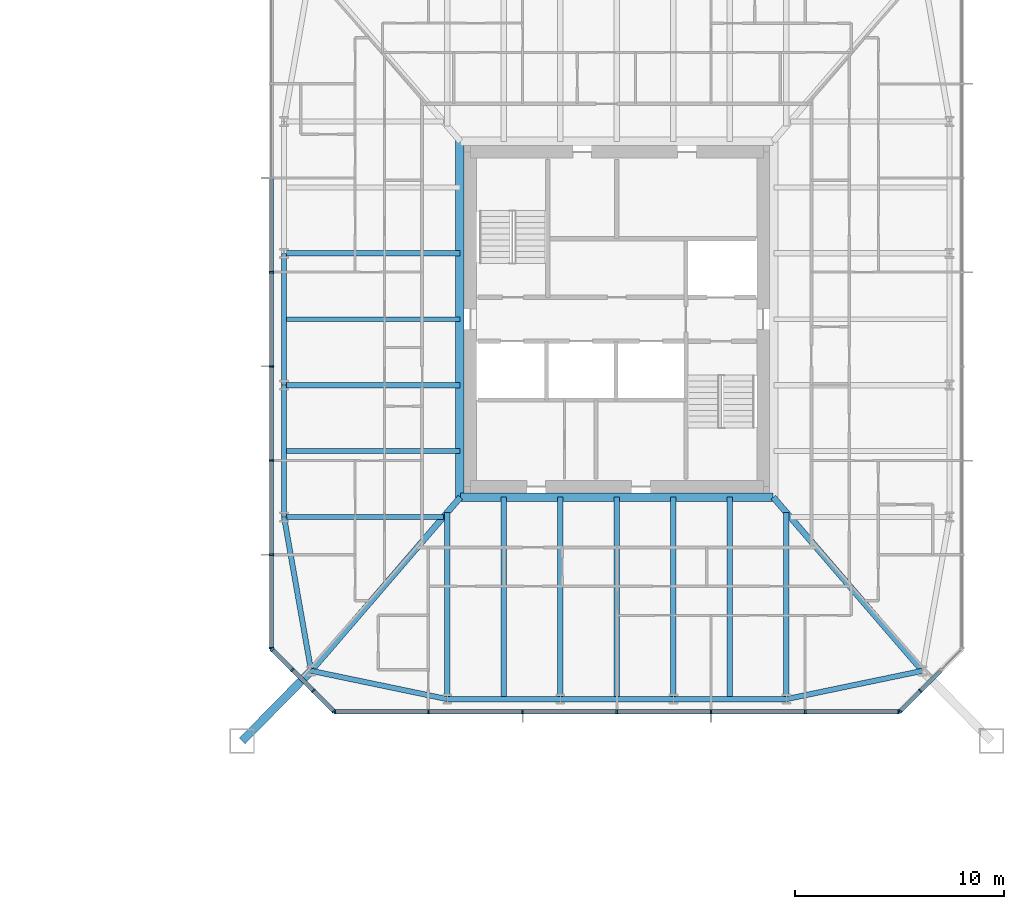
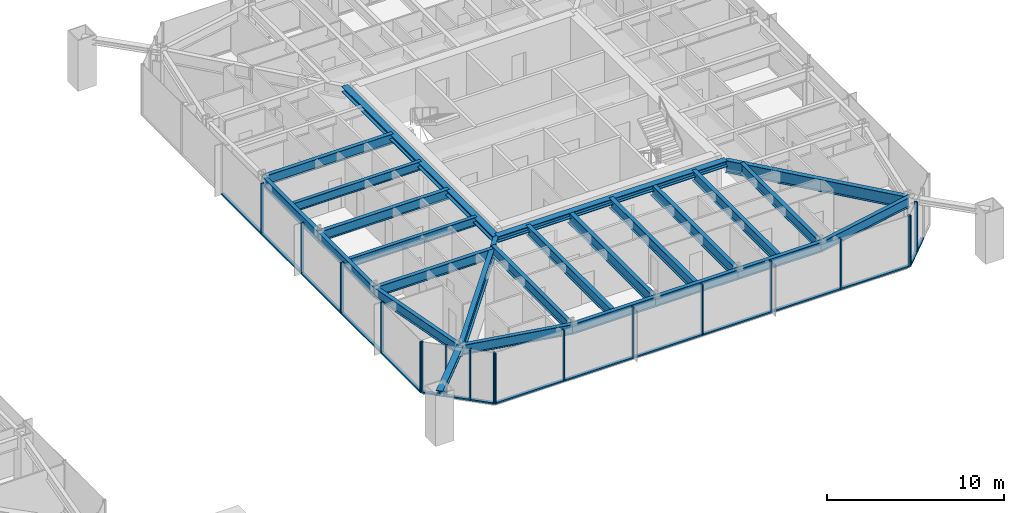
# One storey, part 8 of 26: 35 members, 24 beams, 4 elements without a shape of their own.
"""IFC4 building model written with IfcOpenShell, lengths in metres."""

from ifc_helpers import new_model, si_unit, direction, frame, origin, origin_2d, place, context, subcontext, project, spatial, rectangle, i_section, extrude, material, material_profile, profile_set, type_object, element, aggregate, save


model = new_model("IFC4")

# Units and contexts
model_context = context("Model", 3, precision=1e-05, world=origin(), true_north=direction((0.0, 1.0)))
body_context = subcontext(model_context, "Body", "Model", "MODEL_VIEW")
ifc_project = project(units=[si_unit("LENGTHUNIT", "METRE"), si_unit("AREAUNIT", "SQUARE_METRE"), si_unit("VOLUMEUNIT", "CUBIC_METRE"), si_unit("PLANEANGLEUNIT", "RADIAN"), si_unit("MASSUNIT", "GRAM", prefix="KILO")], contexts=[model_context])

# Site, building, storey
site_placement = place(None, origin())
site = spatial("IfcSite", under=ifc_project, at=site_placement, CompositionType="ELEMENT")
building_placement = place(site_placement, origin())
building = spatial("IfcBuilding", under=site, at=building_placement, Name="Iwan Alto Co-Living Towers", CompositionType="ELEMENT")
storey_placement = place(building_placement, frame((0.0, 0.0, 18.5)))
storey = spatial("IfcBuildingStorey", under=building, at=storey_placement, Name="L04", CompositionType="ELEMENT", Elevation=18.5)

# Curtain wall, members
ifc_material_1 = material(Name="Bronze aluminium unitised frame", Category="aluminium")
curtain_wall_type_1 = type_object("IfcCurtainWallType", Name="CURTAIN WALL CW-C", PredefinedType="NOTDEFINED", material=ifc_material_1)
curtain_wall_1_placement = place(storey_placement, origin())
curtain_wall_1 = element("IfcCurtainWall", 1, at=curtain_wall_1_placement, inside=storey, type_object=curtain_wall_type_1, Name="T2 curtain wall S L04", PredefinedType="NOTDEFINED")
ifc_material_2 = material(Name="Aluminium 6063-T6 bronze anodised", Category="aluminium")
ifc_material_profile_1 = material_profile(ifc_material_2, rectangle(XDim=0.199951171875, YDim=0.080078125, at=origin_2d()), Name="AL 80X200")
ifc_profile_set_1 = profile_set([ifc_material_profile_1], Name="Aluminium 6063-T6 bronze anodised")
member_type_1 = type_object("IfcMemberType", Name="CW-C MULLION 80X200", PredefinedType="MULLION", material=ifc_profile_set_1)
member_1_placement = place(storey_placement, frame((49.5400390625, -18.75, 0.0), z_axis=(0.0, 0.0, 1.0), x_axis=(0.0, 1.0, 0.0)))
member_1 = element("IfcMember", 2, at=member_1_placement, type_object=member_type_1, Name="CW-C mullion 1", PredefinedType="MULLION", context=body_context, shape_type="SweptSolid", body=[
    extrude(rectangle(XDim=0.199951171875, YDim=0.080078125, at=origin_2d()), origin(), (0.0, 0.0, 1.0), 3.5),
])
member_2_placement = place(storey_placement, frame((54.0, -18.75, 0.0), z_axis=(0.0, 0.0, 1.0), x_axis=(0.0, 1.0, 0.0)))
member_2 = element("IfcMember", 3, at=member_2_placement, type_object=member_type_1, Name="CW-C mullion 2", PredefinedType="MULLION", context=body_context, shape_type="SweptSolid", body=[
    extrude(rectangle(XDim=0.199951171875, YDim=0.080078125, at=origin_2d()), origin(), (0.0, 0.0, 1.0), 3.5),
])
member_3_placement = place(storey_placement, frame((58.5, -18.75, 0.0), z_axis=(0.0, 0.0, 1.0), x_axis=(0.0, 1.0, 0.0)))
member_3 = element("IfcMember", 4, at=member_3_placement, type_object=member_type_1, Name="CW-C mullion 3", PredefinedType="MULLION", context=body_context, shape_type="SweptSolid", body=[
    extrude(rectangle(XDim=0.199951171875, YDim=0.080078125, at=origin_2d()), origin(), (0.0, 0.0, 1.0), 3.5),
])
member_4_placement = place(storey_placement, frame((63.0, -18.75, 0.0), z_axis=(0.0, 0.0, 1.0), x_axis=(0.0, 1.0, 0.0)))
member_4 = element("IfcMember", 5, at=member_4_placement, type_object=member_type_1, Name="CW-C mullion 4", PredefinedType="MULLION", context=body_context, shape_type="SweptSolid", body=[
    extrude(rectangle(XDim=0.199951171875, YDim=0.080078125, at=origin_2d()), origin(), (0.0, 0.0, 1.0), 3.5),
])
member_5_placement = place(storey_placement, frame((67.5, -18.75, 0.0), z_axis=(0.0, 0.0, 1.0), x_axis=(0.0, 1.0, 0.0)))
member_5 = element("IfcMember", 6, at=member_5_placement, type_object=member_type_1, Name="CW-C mullion 5", PredefinedType="MULLION", context=body_context, shape_type="SweptSolid", body=[
    extrude(rectangle(XDim=0.199951171875, YDim=0.080078125, at=origin_2d()), origin(), (0.0, 0.0, 1.0), 3.5),
])
member_6_placement = place(storey_placement, frame((72.0, -18.75, 0.0), z_axis=(0.0, 0.0, 1.0), x_axis=(0.0, 1.0, 0.0)))
member_6 = element("IfcMember", 7, at=member_6_placement, type_object=member_type_1, Name="CW-C mullion 6", PredefinedType="MULLION", context=body_context, shape_type="SweptSolid", body=[
    extrude(rectangle(XDim=0.199951171875, YDim=0.080078125, at=origin_2d()), origin(), (0.0, 0.0, 1.0), 3.5),
])
member_7_placement = place(storey_placement, frame((76.4599609375, -18.75, 0.0), z_axis=(0.0, 0.0, 1.0), x_axis=(0.0, 1.0, 0.0)))
member_7 = element("IfcMember", 8, at=member_7_placement, type_object=member_type_1, Name="CW-C mullion 7", PredefinedType="MULLION", context=body_context, shape_type="SweptSolid", body=[
    extrude(rectangle(XDim=0.199951171875, YDim=0.080078125, at=origin_2d()), origin(), (0.0, 0.0, 1.0), 3.5),
])

curtain_wall_2_placement = place(storey_placement, origin())
curtain_wall_2 = element("IfcCurtainWall", 9, at=curtain_wall_2_placement, inside=storey, type_object=curtain_wall_type_1, Name="T2 curtain wall W L04", PredefinedType="NOTDEFINED")
member_8_placement = place(storey_placement, frame((46.5, 2.25, 0.0), z_axis=(0.0, 0.0, 1.0), x_axis=(1.0, 0.0, 0.0)))
member_8 = element("IfcMember", 10, at=member_8_placement, type_object=member_type_1, Name="CW-C mullion 4", PredefinedType="MULLION", context=body_context, shape_type="SweptSolid", body=[
    extrude(rectangle(XDim=0.199951171875, YDim=0.080078125, at=origin_2d()), origin(), (0.0, 0.0, 1.0), 3.5),
])
member_9_placement = place(storey_placement, frame((46.5, -2.25, 0.0), z_axis=(0.0, 0.0, 1.0), x_axis=(1.0, 0.0, 0.0)))
member_9 = element("IfcMember", 11, at=member_9_placement, type_object=member_type_1, Name="CW-C mullion 5", PredefinedType="MULLION", context=body_context, shape_type="SweptSolid", body=[
    extrude(rectangle(XDim=0.199951171875, YDim=0.080078125, at=origin_2d()), origin(), (0.0, 0.0, 1.0), 3.5),
])
member_10_placement = place(storey_placement, frame((46.5, -6.75, 0.0), z_axis=(0.0, 0.0, 1.0), x_axis=(1.0, 0.0, 0.0)))
member_10 = element("IfcMember", 12, at=member_10_placement, type_object=member_type_1, Name="CW-C mullion 6", PredefinedType="MULLION", context=body_context, shape_type="SweptSolid", body=[
    extrude(rectangle(XDim=0.199951171875, YDim=0.080078125, at=origin_2d()), origin(), (0.0, 0.0, 1.0), 3.5),
])
member_11_placement = place(storey_placement, frame((46.5, -11.25, 0.0), z_axis=(0.0, 0.0, 1.0), x_axis=(1.0, 0.0, 0.0)))
member_11 = element("IfcMember", 13, at=member_11_placement, type_object=member_type_1, Name="CW-C mullion 7", PredefinedType="MULLION", context=body_context, shape_type="SweptSolid", body=[
    extrude(rectangle(XDim=0.199951171875, YDim=0.080078125, at=origin_2d()), origin(), (0.0, 0.0, 1.0), 3.5),
])
member_12_placement = place(storey_placement, frame((46.5, -15.7099609375, 0.0), z_axis=(0.0, 0.0, 1.0), x_axis=(1.0, 0.0, 0.0)))
member_12 = element("IfcMember", 14, at=member_12_placement, type_object=member_type_1, Name="CW-C mullion 8", PredefinedType="MULLION", context=body_context, shape_type="SweptSolid", body=[
    extrude(rectangle(XDim=0.199951171875, YDim=0.080078125, at=origin_2d()), origin(), (0.0, 0.0, 1.0), 3.5),
])

# Member
ifc_material_3 = material(Name="Aluminium 6063-T6 bronze anodised", Category="aluminium")
ifc_material_profile_2 = material_profile(ifc_material_3, rectangle(XDim=0.199951171875, YDim=0.10009765625, at=origin_2d()), Name="AL 200X100")
ifc_profile_set_2 = profile_set([ifc_material_profile_2], Name="Aluminium 6063-T6 bronze anodised")
member_type_2 = type_object("IfcMemberType", Name="CW-C TRANSOM 200X100", PredefinedType="USERDEFINED", material=ifc_profile_set_2)
member_13_placement = place(storey_placement, frame((49.580078125, -18.75, 0.050048828125), z_axis=(1.0, 0.0, 0.0), x_axis=(0.0, 1.0, 0.0)))
member_13 = element("IfcMember", 15, at=member_13_placement, type_object=member_type_2, Name="CW-C transom 1.1", ObjectType="TRANSOM", PredefinedType="USERDEFINED", context=body_context, shape_type="SweptSolid", body=[
    extrude(rectangle(XDim=0.199951171875, YDim=0.10009765625, at=origin_2d()), origin(), (0.0, 0.0, 1.0), 4.3798828125),
])

member_14_placement = place(storey_placement, frame((54.0400390625, -18.75, 0.050048828125), z_axis=(1.0, 0.0, 0.0), x_axis=(0.0, 1.0, 0.0)))
member_14 = element("IfcMember", 16, at=member_14_placement, type_object=member_type_2, Name="CW-C transom 2.1", ObjectType="TRANSOM", PredefinedType="USERDEFINED", context=body_context, shape_type="SweptSolid", body=[
    extrude(rectangle(XDim=0.199951171875, YDim=0.10009765625, at=origin_2d()), origin(), (0.0, 0.0, 1.0), 4.419921875),
])

member_15_placement = place(storey_placement, frame((58.5400390625, -18.75, 0.050048828125), z_axis=(1.0, 0.0, 0.0), x_axis=(0.0, 1.0, 0.0)))
member_15 = element("IfcMember", 17, at=member_15_placement, type_object=member_type_2, Name="CW-C transom 3.1", ObjectType="TRANSOM", PredefinedType="USERDEFINED", context=body_context, shape_type="SweptSolid", body=[
    extrude(rectangle(XDim=0.199951171875, YDim=0.10009765625, at=origin_2d()), origin(), (0.0, 0.0, 1.0), 4.419921875),
])

member_16_placement = place(storey_placement, frame((63.0400390625, -18.75, 0.050048828125), z_axis=(1.0, 0.0, 0.0), x_axis=(0.0, 1.0, 0.0)))
member_16 = element("IfcMember", 18, at=member_16_placement, type_object=member_type_2, Name="CW-C transom 4.1", ObjectType="TRANSOM", PredefinedType="USERDEFINED", context=body_context, shape_type="SweptSolid", body=[
    extrude(rectangle(XDim=0.199951171875, YDim=0.10009765625, at=origin_2d()), origin(), (0.0, 0.0, 1.0), 4.419921875),
])

member_17_placement = place(storey_placement, frame((67.5400390625, -18.75, 0.050048828125), z_axis=(1.0, 0.0, 0.0), x_axis=(0.0, 1.0, 0.0)))
member_17 = element("IfcMember", 19, at=member_17_placement, type_object=member_type_2, Name="CW-C transom 5.1", ObjectType="TRANSOM", PredefinedType="USERDEFINED", context=body_context, shape_type="SweptSolid", body=[
    extrude(rectangle(XDim=0.199951171875, YDim=0.10009765625, at=origin_2d()), origin(), (0.0, 0.0, 1.0), 4.419921875),
])

member_18_placement = place(storey_placement, frame((72.0400390625, -18.75, 0.050048828125), z_axis=(1.0, 0.0, 0.0), x_axis=(0.0, 1.0, 0.0)))
member_18 = element("IfcMember", 20, at=member_18_placement, type_object=member_type_2, Name="CW-C transom 6.1", ObjectType="TRANSOM", PredefinedType="USERDEFINED", context=body_context, shape_type="SweptSolid", body=[
    extrude(rectangle(XDim=0.199951171875, YDim=0.10009765625, at=origin_2d()), origin(), (0.0, 0.0, 1.0), 4.3798828125),
])

aggregate(curtain_wall_1, [member_1, member_2, member_3, member_4, member_5, member_6, member_7, member_13, member_14, member_15, member_16, member_17, member_18])

member_19_placement = place(storey_placement, frame((46.5, 6.7099609375, 0.050048828125), z_axis=(0.0, -1.0, 0.0), x_axis=(1.0, 0.0, 0.0)))
member_19 = element("IfcMember", 21, at=member_19_placement, type_object=member_type_2, Name="CW-C transom 3.1", ObjectType="TRANSOM", PredefinedType="USERDEFINED", context=body_context, shape_type="SweptSolid", body=[
    extrude(rectangle(XDim=0.199951171875, YDim=0.10009765625, at=origin_2d()), origin(), (0.0, 0.0, 1.0), 4.419921875),
])

member_20_placement = place(storey_placement, frame((46.5, 2.2099609375, 0.050048828125), z_axis=(0.0, -1.0, 0.0), x_axis=(1.0, 0.0, 0.0)))
member_20 = element("IfcMember", 22, at=member_20_placement, type_object=member_type_2, Name="CW-C transom 4.1", ObjectType="TRANSOM", PredefinedType="USERDEFINED", context=body_context, shape_type="SweptSolid", body=[
    extrude(rectangle(XDim=0.199951171875, YDim=0.10009765625, at=origin_2d()), origin(), (0.0, 0.0, 1.0), 4.419921875),
])

member_21_placement = place(storey_placement, frame((46.5, -2.2900390625, 0.050048828125), z_axis=(0.0, -1.0, 0.0), x_axis=(1.0, 0.0, 0.0)))
member_21 = element("IfcMember", 23, at=member_21_placement, type_object=member_type_2, Name="CW-C transom 5.1", ObjectType="TRANSOM", PredefinedType="USERDEFINED", context=body_context, shape_type="SweptSolid", body=[
    extrude(rectangle(XDim=0.199951171875, YDim=0.10009765625, at=origin_2d()), origin(), (0.0, 0.0, 1.0), 4.419921875),
])

member_22_placement = place(storey_placement, frame((46.5, -6.7900390625, 0.050048828125), z_axis=(0.0, -1.0, 0.0), x_axis=(1.0, 0.0, 0.0)))
member_22 = element("IfcMember", 24, at=member_22_placement, type_object=member_type_2, Name="CW-C transom 6.1", ObjectType="TRANSOM", PredefinedType="USERDEFINED", context=body_context, shape_type="SweptSolid", body=[
    extrude(rectangle(XDim=0.199951171875, YDim=0.10009765625, at=origin_2d()), origin(), (0.0, 0.0, 1.0), 4.419921875),
])

member_23_placement = place(storey_placement, frame((46.5, -11.2900390625, 0.050048828125), z_axis=(0.0, -1.0, 0.0), x_axis=(1.0, 0.0, 0.0)))
member_23 = element("IfcMember", 25, at=member_23_placement, type_object=member_type_2, Name="CW-C transom 7.1", ObjectType="TRANSOM", PredefinedType="USERDEFINED", context=body_context, shape_type="SweptSolid", body=[
    extrude(rectangle(XDim=0.199951171875, YDim=0.10009765625, at=origin_2d()), origin(), (0.0, 0.0, 1.0), 4.3798828125),
])

aggregate(curtain_wall_2, [member_8, member_9, member_10, member_11, member_12, member_19, member_20, member_21, member_22, member_23])

# Curtain wall, members
ifc_material_4 = material(Name="Bronze aluminium unitised frame", Category="aluminium")
curtain_wall_type_2 = type_object("IfcCurtainWallType", Name="CURTAIN WALL CW-D", PredefinedType="NOTDEFINED", material=ifc_material_4)
curtain_wall_3_placement = place(storey_placement, origin())
curtain_wall_3 = element("IfcCurtainWall", 26, at=curtain_wall_3_placement, inside=storey, type_object=curtain_wall_type_2, Name="T2 chamfer curtain wall SE L04", PredefinedType="NOTDEFINED")
ifc_material_5 = material(Name="Aluminium 6063-T6 bronze anodised", Category="aluminium")
ifc_material_profile_3 = material_profile(ifc_material_5, rectangle(XDim=0.199951171875, YDim=0.080078125, at=origin_2d()), Name="AL 80X200")
ifc_profile_set_3 = profile_set([ifc_material_profile_3], Name="Aluminium 6063-T6 bronze anodised")
member_type_3 = type_object("IfcMemberType", Name="CW-D MULLION 80X200", PredefinedType="MULLION", material=ifc_profile_set_3)
member_24_placement = place(storey_placement, frame((76.5283203125, -18.7216796875, 0.0), z_axis=(0.0, 0.0, 1.0), x_axis=(-0.707106781187, 0.707106781187, 0.0)))
member_24 = element("IfcMember", 27, at=member_24_placement, type_object=member_type_3, Name="CW-D mullion 1", PredefinedType="MULLION", context=body_context, shape_type="SweptSolid", body=[
    extrude(rectangle(XDim=0.199951171875, YDim=0.080078125, at=origin_2d()), origin(), (0.0, 0.0, 1.0), 3.5),
])
member_25_placement = place(storey_placement, frame((77.5, -17.75, 0.0), z_axis=(0.0, 0.0, 1.0), x_axis=(-0.707106781187, 0.707106781187, 0.0)))
member_25 = element("IfcMember", 28, at=member_25_placement, type_object=member_type_3, Name="CW-D mullion 2", PredefinedType="MULLION", context=body_context, shape_type="SweptSolid", body=[
    extrude(rectangle(XDim=0.199951171875, YDim=0.080078125, at=origin_2d()), origin(), (0.0, 0.0, 1.0), 3.5),
])

curtain_wall_4_placement = place(storey_placement, origin())
curtain_wall_4 = element("IfcCurtainWall", 29, at=curtain_wall_4_placement, inside=storey, type_object=curtain_wall_type_2, Name="T2 chamfer curtain wall SW L04", PredefinedType="NOTDEFINED")
member_26_placement = place(storey_placement, frame((46.5283203125, -15.7783203125, 0.0), z_axis=(0.0, 0.0, 1.0), x_axis=(0.707106781187, 0.707106781187, 0.0)))
member_26 = element("IfcMember", 30, at=member_26_placement, type_object=member_type_3, Name="CW-D mullion 1", PredefinedType="MULLION", context=body_context, shape_type="SweptSolid", body=[
    extrude(rectangle(XDim=0.199951171875, YDim=0.080078125, at=origin_2d()), origin(), (0.0, 0.0, 1.0), 3.5),
])
member_27_placement = place(storey_placement, frame((47.5, -16.75, 0.0), z_axis=(0.0, 0.0, 1.0), x_axis=(0.707106781187, 0.707106781187, 0.0)))
member_27 = element("IfcMember", 31, at=member_27_placement, type_object=member_type_3, Name="CW-D mullion 2", PredefinedType="MULLION", context=body_context, shape_type="SweptSolid", body=[
    extrude(rectangle(XDim=0.199951171875, YDim=0.080078125, at=origin_2d()), origin(), (0.0, 0.0, 1.0), 3.5),
])
member_28_placement = place(storey_placement, frame((48.5, -17.75, 0.0), z_axis=(0.0, 0.0, 1.0), x_axis=(0.707106781187, 0.707106781187, 0.0)))
member_28 = element("IfcMember", 32, at=member_28_placement, type_object=member_type_3, Name="CW-D mullion 3", PredefinedType="MULLION", context=body_context, shape_type="SweptSolid", body=[
    extrude(rectangle(XDim=0.199951171875, YDim=0.080078125, at=origin_2d()), origin(), (0.0, 0.0, 1.0), 3.5),
])
member_29_placement = place(storey_placement, frame((49.4716796875, -18.7216796875, 0.0), z_axis=(0.0, 0.0, 1.0), x_axis=(0.707106781187, 0.707106781187, 0.0)))
member_29 = element("IfcMember", 33, at=member_29_placement, type_object=member_type_3, Name="CW-D mullion 4", PredefinedType="MULLION", context=body_context, shape_type="SweptSolid", body=[
    extrude(rectangle(XDim=0.199951171875, YDim=0.080078125, at=origin_2d()), origin(), (0.0, 0.0, 1.0), 3.5),
])

# Member
ifc_material_6 = material(Name="Aluminium 6063-T6 bronze anodised", Category="aluminium")
ifc_material_profile_4 = material_profile(ifc_material_6, rectangle(XDim=0.199951171875, YDim=0.10009765625, at=origin_2d()), Name="AL 200X100")
ifc_profile_set_4 = profile_set([ifc_material_profile_4], Name="Aluminium 6063-T6 bronze anodised")
member_type_4 = type_object("IfcMemberType", Name="CW-D TRANSOM 200X100", PredefinedType="USERDEFINED", material=ifc_profile_set_4)
member_30_placement = place(storey_placement, frame((76.556640625, -18.693359375, 0.050048828125), z_axis=(0.707106781187, 0.707106781187, 0.0), x_axis=(-0.707106781187, 0.707106781187, 0.0)))
member_30 = element("IfcMember", 34, at=member_30_placement, type_object=member_type_4, Name="CW-D transom 1.1", ObjectType="TRANSOM", PredefinedType="USERDEFINED", context=body_context, shape_type="SweptSolid", body=[
    extrude(rectangle(XDim=0.199951171875, YDim=0.10009765625, at=origin_2d()), origin(), (0.0, 0.0, 1.0), 1.2939453125),
])

member_31_placement = place(storey_placement, frame((77.5283203125, -17.7216796875, 0.050048828125), z_axis=(0.707106781187, 0.707106781187, 0.0), x_axis=(-0.707106781187, 0.707106781187, 0.0)))
member_31 = element("IfcMember", 35, at=member_31_placement, type_object=member_type_4, Name="CW-D transom 2.1", ObjectType="TRANSOM", PredefinedType="USERDEFINED", context=body_context, shape_type="SweptSolid", body=[
    extrude(rectangle(XDim=0.199951171875, YDim=0.10009765625, at=origin_2d()), origin(), (0.0, 0.0, 1.0), 1.334228515625),
])

aggregate(curtain_wall_3, [member_24, member_25, member_30, member_31])

member_32_placement = place(storey_placement, frame((46.556640625, -15.806640625, 0.050048828125), z_axis=(0.707106781187, -0.707106781187, 0.0), x_axis=(0.707106781187, 0.707106781187, 0.0)))
member_32 = element("IfcMember", 36, at=member_32_placement, type_object=member_type_4, Name="CW-D transom 1.1", ObjectType="TRANSOM", PredefinedType="USERDEFINED", context=body_context, shape_type="SweptSolid", body=[
    extrude(rectangle(XDim=0.199951171875, YDim=0.10009765625, at=origin_2d()), origin(), (0.0, 0.0, 1.0), 1.2939453125),
])

member_33_placement = place(storey_placement, frame((47.5283203125, -16.7783203125, 0.050048828125), z_axis=(0.707106781187, -0.707106781187, 0.0), x_axis=(0.707106781187, 0.707106781187, 0.0)))
member_33 = element("IfcMember", 37, at=member_33_placement, type_object=member_type_4, Name="CW-D transom 2.1", ObjectType="TRANSOM", PredefinedType="USERDEFINED", context=body_context, shape_type="SweptSolid", body=[
    extrude(rectangle(XDim=0.199951171875, YDim=0.10009765625, at=origin_2d()), origin(), (0.0, 0.0, 1.0), 1.334228515625),
])

member_34_placement = place(storey_placement, frame((48.5283203125, -17.7783203125, 0.050048828125), z_axis=(0.707106781187, -0.707106781187, 0.0), x_axis=(0.707106781187, 0.707106781187, 0.0)))
member_34 = element("IfcMember", 38, at=member_34_placement, type_object=member_type_4, Name="CW-D transom 3.1", ObjectType="TRANSOM", PredefinedType="USERDEFINED", context=body_context, shape_type="SweptSolid", body=[
    extrude(rectangle(XDim=0.199951171875, YDim=0.10009765625, at=origin_2d()), origin(), (0.0, 0.0, 1.0), 1.2939453125),
])

aggregate(curtain_wall_4, [member_26, member_27, member_28, member_29, member_32, member_33, member_34])

# Beams
ifc_material_7 = material(Name="Steel ASTM A992 Gr 50", Category="steel")
ifc_material_profile_5 = material_profile(ifc_material_7, i_section(OverallWidth=0.40380859375, OverallDepth=0.406494140625, WebThickness=0.027099609375, FlangeThickness=0.043701171875, at=origin_2d()), Name="W14X233")
ifc_profile_set_5 = profile_set([ifc_material_profile_5], Name="Steel ASTM A992 Gr 50")
beam_type_1 = type_object("IfcBeamType", Name="T2 CORE LEDGER BEAM W14X233", PredefinedType="BEAM", material=ifc_profile_set_5)
beam_1_placement = place(storey_placement, frame((55.5263671875, -8.501953125, 3.06689453125), z_axis=(1.0, 0.0, 0.0), x_axis=(0.0, 1.0, 0.0)))
element("IfcBeam", 39, at=beam_1_placement, inside=storey, type_object=beam_type_1, Name="T2 core ledger beam S L05", PredefinedType="BEAM", context=body_context, shape_type="SweptSolid", body=[
    extrude(i_section(OverallWidth=0.40380859375, OverallDepth=0.406494140625, WebThickness=0.027099609375, FlangeThickness=0.043701171875, at=origin_2d()), origin(), (0.0, 0.0, 1.0), 14.947265625),
])
beam_2_placement = place(storey_placement, frame((55.498046875, 8.534912109375, 3.06689453125), z_axis=(0.0, -1.0, 0.0), x_axis=(1.0, 0.0, 0.0)))
element("IfcBeam", 40, at=beam_2_placement, inside=storey, type_object=beam_type_1, Name="T2 core ledger beam W L05", PredefinedType="BEAM", context=body_context, shape_type="SweptSolid", body=[
    extrude(i_section(OverallWidth=0.40380859375, OverallDepth=0.406494140625, WebThickness=0.027099609375, FlangeThickness=0.043701171875, at=origin_2d()), origin(), (0.0, 0.0, 1.0), 17.06982421875),
])
ifc_material_8 = material(Name="Steel ASTM A992 Gr 50", Category="steel")
ifc_material_profile_6 = material_profile(ifc_material_8, i_section(OverallWidth=0.2919921875, OverallDepth=0.8408203125, WebThickness=0.0146484375, FlangeThickness=0.021728515625, at=origin_2d()), Name="W33X130")
ifc_profile_set_6 = profile_set([ifc_material_profile_6], Name="Steel ASTM A992 Gr 50")
beam_type_2 = type_object("IfcBeamType", Name="T2 CORNER GIRDER W33X130", PredefinedType="BEAM", material=ifc_profile_set_6)
for number, where, z_axis, x_axis, name in (
    (41, (48.393798828125, -16.797119140625, 2.849609375), (0.651972301827, 0.758242782788, 0.0), (-0.758242782788, 0.651972301827, 0.0), "T2 corner girder CSW L05"),
    (42, (77.606201171875, -16.797119140625, 2.849609375), (-0.651972301827, 0.758242782788, 0.0), (-0.758242782788, -0.651972301827, 0.0), "T2 corner girder CSE L05"),
):
    element("IfcBeam", number, at=place(storey_placement, frame(where, z_axis=z_axis, x_axis=x_axis)), inside=storey, type_object=beam_type_2, Name=name, PredefinedType="BEAM", context=body_context, shape_type="SweptSolid", body=[
        extrude(i_section(OverallWidth=0.2919921875, OverallDepth=0.8408203125, WebThickness=0.0146484375, FlangeThickness=0.021728515625, at=origin_2d()), origin(), (0.0, 0.0, 1.0), 10.93994140625),
    ])
ifc_material_9 = material(Name="Steel ASTM A992 Gr 50", Category="steel")
ifc_material_profile_7 = material_profile(ifc_material_9, i_section(OverallWidth=0.25390625, OverallDepth=0.683349609375, WebThickness=0.012451171875, FlangeThickness=0.018798828125, at=origin_2d()), Name="W27X94")
ifc_profile_set_7 = profile_set([ifc_material_profile_7], Name="Steel ASTM A992 Gr 50")
beam_type_3 = type_object("IfcBeamType", Name="T2 EDGE BEAM W27X94", PredefinedType="BEAM", material=ifc_profile_set_7)
beam_3_placement = place(storey_placement, frame((48.393798828125, -16.797119140625, 2.928466796875), z_axis=(0.979060119423, -0.203571320564, 0.0), x_axis=(0.203571320564, 0.979060119423, 0.0)))
element("IfcBeam", 43, at=beam_3_placement, inside=storey, type_object=beam_type_3, Name="T2 edge beam CSW L05", PredefinedType="BEAM", context=body_context, shape_type="SweptSolid", body=[
    extrude(i_section(OverallWidth=0.25390625, OverallDepth=0.683349609375, WebThickness=0.012451171875, FlangeThickness=0.018798828125, at=origin_2d()), origin(), (0.0, 0.0, 1.0), 6.645263671875),
])
beam_4_placement = place(storey_placement, frame((54.89990234375, -18.14990234375, 2.928466796875), z_axis=(1.0, 0.0, 0.0), x_axis=(0.0, 1.0, 0.0)))
element("IfcBeam", 44, at=beam_4_placement, inside=storey, type_object=beam_type_3, Name="T2 edge beam S1 L05", PredefinedType="BEAM", context=body_context, shape_type="SweptSolid", body=[
    extrude(i_section(OverallWidth=0.25390625, OverallDepth=0.683349609375, WebThickness=0.012451171875, FlangeThickness=0.018798828125, at=origin_2d()), origin(), (0.0, 0.0, 1.0), 5.400146484375),
])
beam_5_placement = place(storey_placement, frame((60.300048828125, -18.14990234375, 2.928466796875), z_axis=(1.0, 0.0, 0.0), x_axis=(0.0, 1.0, 0.0)))
element("IfcBeam", 45, at=beam_5_placement, inside=storey, type_object=beam_type_3, Name="T2 edge beam S2 L05", PredefinedType="BEAM", context=body_context, shape_type="SweptSolid", body=[
    extrude(i_section(OverallWidth=0.25390625, OverallDepth=0.683349609375, WebThickness=0.012451171875, FlangeThickness=0.018798828125, at=origin_2d()), origin(), (0.0, 0.0, 1.0), 5.39990234375),
])
beam_6_placement = place(storey_placement, frame((65.699951171875, -18.14990234375, 2.928466796875), z_axis=(1.0, 0.0, 0.0), x_axis=(0.0, 1.0, 0.0)))
element("IfcBeam", 46, at=beam_6_placement, inside=storey, type_object=beam_type_3, Name="T2 edge beam S3 L05", PredefinedType="BEAM", context=body_context, shape_type="SweptSolid", body=[
    extrude(i_section(OverallWidth=0.25390625, OverallDepth=0.683349609375, WebThickness=0.012451171875, FlangeThickness=0.018798828125, at=origin_2d()), origin(), (0.0, 0.0, 1.0), 5.400146484375),
])
beam_7_placement = place(storey_placement, frame((71.10009765625, -18.14990234375, 2.928466796875), z_axis=(0.979060119423, 0.203571320564, 0.0), x_axis=(-0.203571320564, 0.979060119423, 0.0)))
element("IfcBeam", 47, at=beam_7_placement, inside=storey, type_object=beam_type_3, Name="T2 edge beam S4 L05", PredefinedType="BEAM", context=body_context, shape_type="SweptSolid", body=[
    extrude(i_section(OverallWidth=0.25390625, OverallDepth=0.683349609375, WebThickness=0.012451171875, FlangeThickness=0.018798828125, at=origin_2d()), origin(), (0.0, 0.0, 1.0), 6.645263671875),
])
beam_8_placement = place(storey_placement, frame((47.10009765625, 3.14990234375, 2.928466796875), z_axis=(0.0, -1.0, 0.0), x_axis=(1.0, 0.0, 0.0)))
element("IfcBeam", 48, at=beam_8_placement, inside=storey, type_object=beam_type_3, Name="T2 edge beam W2 L05", PredefinedType="BEAM", context=body_context, shape_type="SweptSolid", body=[
    extrude(i_section(OverallWidth=0.25390625, OverallDepth=0.683349609375, WebThickness=0.012451171875, FlangeThickness=0.018798828125, at=origin_2d()), origin(), (0.0, 0.0, 1.0), 6.2998046875),
])
beam_9_placement = place(storey_placement, frame((47.10009765625, -3.14990234375, 2.928466796875), z_axis=(0.0, -1.0, 0.0), x_axis=(1.0, 0.0, 0.0)))
element("IfcBeam", 49, at=beam_9_placement, inside=storey, type_object=beam_type_3, Name="T2 edge beam W3 L05", PredefinedType="BEAM", context=body_context, shape_type="SweptSolid", body=[
    extrude(i_section(OverallWidth=0.25390625, OverallDepth=0.683349609375, WebThickness=0.012451171875, FlangeThickness=0.018798828125, at=origin_2d()), origin(), (0.0, 0.0, 1.0), 6.300048828125),
])
beam_10_placement = place(storey_placement, frame((47.10009765625, -9.449951171875, 2.928466796875), z_axis=(0.173413807283, -0.98484905008, 0.0), x_axis=(0.98484905008, 0.173413807283, 0.0)))
element("IfcBeam", 50, at=beam_10_placement, inside=storey, type_object=beam_type_3, Name="T2 edge beam W4 L05", PredefinedType="BEAM", context=body_context, shape_type="SweptSolid", body=[
    extrude(i_section(OverallWidth=0.25390625, OverallDepth=0.683349609375, WebThickness=0.012451171875, FlangeThickness=0.018798828125, at=origin_2d()), origin(), (0.0, 0.0, 1.0), 7.460205078125),
])

# Member
ifc_material_10 = material(Name="Steel ASTM A992 Gr 50", Category="steel")
ifc_material_profile_8 = material_profile(ifc_material_10, i_section(OverallWidth=0.393798828125, OverallDepth=0.3759765625, WebThickness=0.017333984375, FlangeThickness=0.027587890625, at=origin_2d()), Name="W14X145")
ifc_profile_set_8 = profile_set([ifc_material_profile_8], Name="Steel ASTM A992 Gr 50")
member_type_5 = type_object("IfcMemberType", Name="T2 MEGA COLUMN FLOOR TIE W14X145", PredefinedType="STRUT", material=ifc_profile_set_8)
member_35_placement = place(storey_placement, frame((45.10009765625, -20.14990234375, 3.08203125), z_axis=(0.700793469544, 0.71336422187, 0.0), x_axis=(-0.71336422187, 0.700793469544, 0.0)))
element("IfcMember", 51, at=member_35_placement, inside=storey, type_object=member_type_5, Name="T2 mega column floor tie SW L05", PredefinedType="STRUT", context=body_context, shape_type="SweptSolid", body=[
    extrude(i_section(OverallWidth=0.393798828125, OverallDepth=0.3759765625, WebThickness=0.017333984375, FlangeThickness=0.027587890625, at=origin_2d()), origin(), (0.0, 0.0, 1.0), 4.699951171875),
])

# Beams
ifc_material_11 = material(Name="Steel ASTM A992 Gr 50", Category="steel")
ifc_material_profile_9 = material_profile(ifc_material_11, i_section(OverallWidth=0.25390625, OverallDepth=0.683349609375, WebThickness=0.012451171875, FlangeThickness=0.018798828125, at=origin_2d()), Name="W27X94")
ifc_profile_set_9 = profile_set([ifc_material_profile_9], Name="Steel ASTM A992 Gr 50")
beam_type_4 = type_object("IfcBeamType", Name="T2 RADIAL BEAM W27X94", PredefinedType="BEAM", material=ifc_profile_set_9)
for number, where, z_axis, x_axis, name in (
    (52, (54.89990234375, -18.14990234375, 2.928466796875), (0.0, 1.0, 0.0), (-1.0, 0.0, 0.0), "T2 radial beam S1 L05"),
    (53, (71.10009765625, -18.14990234375, 2.928466796875), (0.0, 1.0, 0.0), (-1.0, 0.0, 0.0), "T2 radial beam S4 L05"),
):
    element("IfcBeam", number, at=place(storey_placement, frame(where, z_axis=z_axis, x_axis=x_axis)), inside=storey, type_object=beam_type_4, Name=name, PredefinedType="BEAM", context=body_context, shape_type="SweptSolid", body=[
        extrude(i_section(OverallWidth=0.25390625, OverallDepth=0.683349609375, WebThickness=0.012451171875, FlangeThickness=0.018798828125, at=origin_2d()), origin(), (0.0, 0.0, 1.0), 8.91943359375),
    ])
for number, where, z_axis, x_axis, name in (
    (54, (47.10009765625, 3.14990234375, 2.928466796875), (1.0, 0.0, 0.0), (0.0, 1.0, 0.0), "T2 radial beam W2 L05"),
    (55, (47.10009765625, -3.14990234375, 2.928466796875), (1.0, 0.0, 0.0), (0.0, 1.0, 0.0), "T2 radial beam W3 L05"),
):
    element("IfcBeam", number, at=place(storey_placement, frame(where, z_axis=z_axis, x_axis=x_axis)), inside=storey, type_object=beam_type_4, Name=name, PredefinedType="BEAM", context=body_context, shape_type="SweptSolid", body=[
        extrude(i_section(OverallWidth=0.25390625, OverallDepth=0.683349609375, WebThickness=0.012451171875, FlangeThickness=0.018798828125, at=origin_2d()), origin(), (0.0, 0.0, 1.0), 8.39794921875),
    ])
beam_11_placement = place(storey_placement, frame((47.10009765625, -9.449951171875, 2.928466796875), z_axis=(1.0, 0.0, 0.0), x_axis=(0.0, 1.0, 0.0)))
element("IfcBeam", 56, at=beam_11_placement, inside=storey, type_object=beam_type_4, Name="T2 radial beam W4 L05", PredefinedType="BEAM", context=body_context, shape_type="SweptSolid", body=[
    extrude(i_section(OverallWidth=0.25390625, OverallDepth=0.683349609375, WebThickness=0.012451171875, FlangeThickness=0.018798828125, at=origin_2d()), origin(), (0.0, 0.0, 1.0), 7.611083984375),
])
ifc_material_12 = material(Name="Steel ASTM A992 Gr 50", Category="steel")
ifc_material_profile_10 = material_profile(ifc_material_12, i_section(OverallWidth=0.2666015625, OverallDepth=0.761962890625, WebThickness=0.014404296875, FlangeThickness=0.021484375, at=origin_2d()), Name="W30X116")
ifc_profile_set_10 = profile_set([ifc_material_profile_10], Name="Steel ASTM A992 Gr 50")
beam_type_5 = type_object("IfcBeamType", Name="T2 RADIAL BEAM W30X116", PredefinedType="BEAM", material=ifc_profile_set_10)
for number, where, z_axis, x_axis, name in (
    (57, (60.300048828125, -18.14990234375, 2.888916015625), (0.0, 1.0, 0.0), (-1.0, 0.0, 0.0), "T2 radial beam S2 L05"),
    (58, (65.699951171875, -18.14990234375, 2.888916015625), (0.0, 1.0, 0.0), (-1.0, 0.0, 0.0), "T2 radial beam S3 L05"),
):
    element("IfcBeam", number, at=place(storey_placement, frame(where, z_axis=z_axis, x_axis=x_axis)), inside=storey, type_object=beam_type_5, Name=name, PredefinedType="BEAM", context=body_context, shape_type="SweptSolid", body=[
        extrude(i_section(OverallWidth=0.2666015625, OverallDepth=0.761962890625, WebThickness=0.014404296875, FlangeThickness=0.021484375, at=origin_2d()), origin(), (0.0, 0.0, 1.0), 9.64794921875),
    ])
ifc_material_13 = material(Name="Steel ASTM A992 Gr 50", Category="steel")
ifc_material_profile_11 = material_profile(ifc_material_13, i_section(OverallWidth=0.228271484375, OverallDepth=0.607177734375, WebThickness=0.01123046875, FlangeThickness=0.017333984375, at=origin_2d()), Name="W24X76")
ifc_profile_set_11 = profile_set([ifc_material_profile_11], Name="Steel ASTM A992 Gr 50")
beam_type_6 = type_object("IfcBeamType", Name="T2 SECONDARY BEAM W24X76", PredefinedType="JOIST", material=ifc_profile_set_11)
for number, where, z_axis, x_axis, name in (
    (59, (47.10009765625, 0.0, 2.966552734375), (1.0, 0.0, 0.0), (0.0, 1.0, 0.0), "T2 secondary beam W2 L05"),
    (60, (47.10009765625, -6.300048828125, 2.966552734375), (1.0, 0.0, 0.0), (0.0, 1.0, 0.0), "T2 secondary beam W3 L05"),
):
    element("IfcBeam", number, at=place(storey_placement, frame(where, z_axis=z_axis, x_axis=x_axis)), inside=storey, type_object=beam_type_6, Name=name, PredefinedType="JOIST", context=body_context, shape_type="SweptSolid", body=[
        extrude(i_section(OverallWidth=0.228271484375, OverallDepth=0.607177734375, WebThickness=0.01123046875, FlangeThickness=0.017333984375, at=origin_2d()), origin(), (0.0, 0.0, 1.0), 8.39794921875),
    ])
ifc_material_14 = material(Name="Steel ASTM A992 Gr 50", Category="steel")
ifc_material_profile_12 = material_profile(ifc_material_14, i_section(OverallWidth=0.25390625, OverallDepth=0.683349609375, WebThickness=0.012451171875, FlangeThickness=0.018798828125, at=origin_2d()), Name="W27X94")
ifc_profile_set_12 = profile_set([ifc_material_profile_12], Name="Steel ASTM A992 Gr 50")
beam_type_7 = type_object("IfcBeamType", Name="T2 SECONDARY BEAM W27X94", PredefinedType="JOIST", material=ifc_profile_set_12)
for number, where, z_axis, x_axis, name in (
    (61, (57.60009765625, -18.14990234375, 2.928466796875), (0.0, 1.0, 0.0), (-1.0, 0.0, 0.0), "T2 secondary beam S1 L05"),
    (62, (63.0, -18.14990234375, 2.928466796875), (0.0, 1.0, 0.0), (-1.0, 0.0, 0.0), "T2 secondary beam S2 L05"),
    (63, (68.39990234375, -18.14990234375, 2.928466796875), (0.0, 1.0, 0.0), (-1.0, 0.0, 0.0), "T2 secondary beam S3 L05"),
):
    element("IfcBeam", number, at=place(storey_placement, frame(where, z_axis=z_axis, x_axis=x_axis)), inside=storey, type_object=beam_type_7, Name=name, PredefinedType="JOIST", context=body_context, shape_type="SweptSolid", body=[
        extrude(i_section(OverallWidth=0.25390625, OverallDepth=0.683349609375, WebThickness=0.012451171875, FlangeThickness=0.018798828125, at=origin_2d()), origin(), (0.0, 0.0, 1.0), 9.64794921875),
    ])

save(model, "model.ifc")
